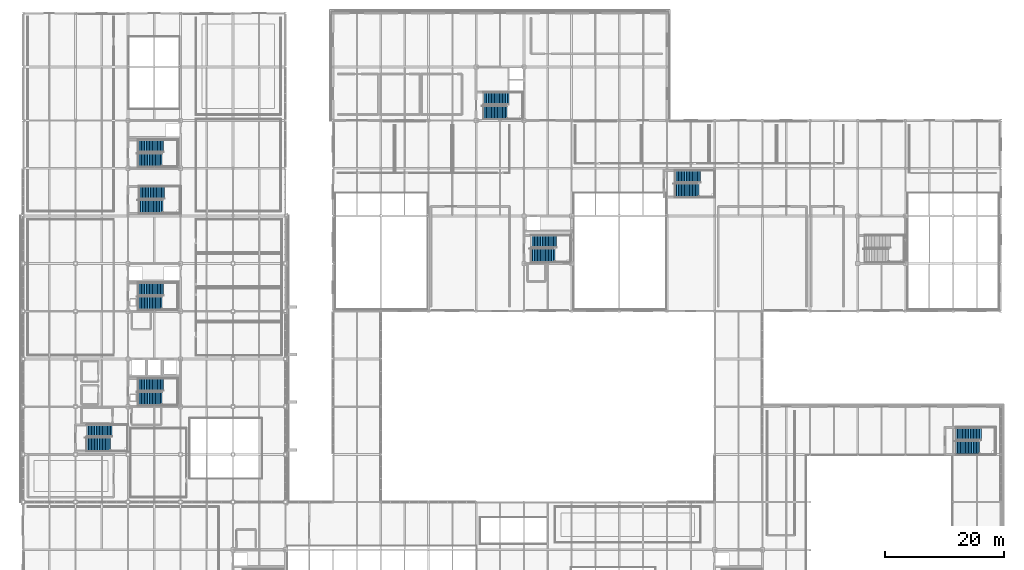
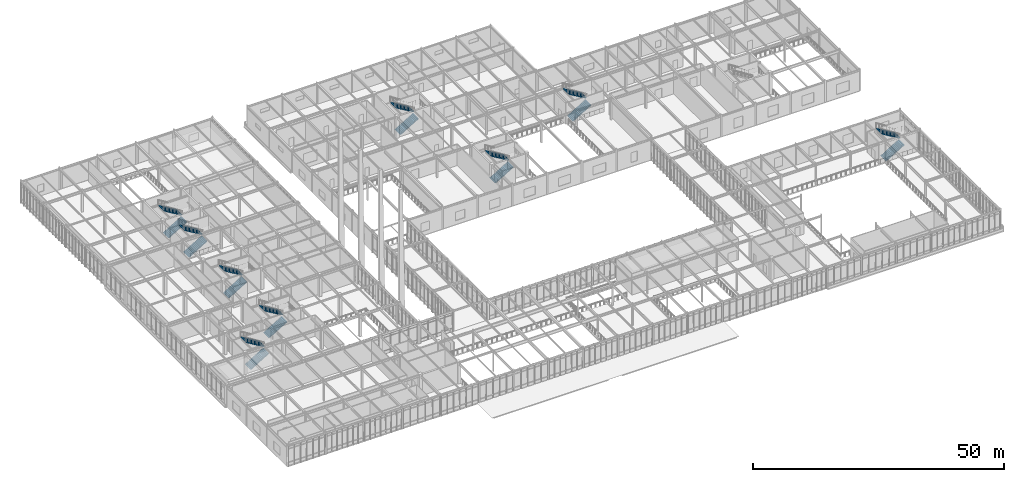
# One storey, part 170 of 184: 18 stair flights, 9 elements without a shape of their own.
"""IFC4 building model written with IfcOpenShell, lengths in metres."""

from ifc_helpers import new_model, si_unit, direction, frame, origin, place, context, subcontext, project, spatial, polyline, outline, extrude, material, type_object, element, aggregate, save


model = new_model("IFC4")

# Units and contexts
model_context = context("Model", 3, precision=1e-05, world=origin(), true_north=direction((0.0, 1.0)))
body_context = subcontext(model_context, "Body", "Model", "MODEL_VIEW")
ifc_project = project(units=[si_unit("LENGTHUNIT", "METRE"), si_unit("AREAUNIT", "SQUARE_METRE"), si_unit("VOLUMEUNIT", "CUBIC_METRE"), si_unit("PLANEANGLEUNIT", "RADIAN"), si_unit("MASSUNIT", "GRAM", prefix="KILO")], contexts=[model_context])

# Site, building, storey
site_placement = place(None, origin())
site = spatial("IfcSite", under=ifc_project, at=site_placement, CompositionType="ELEMENT")
building_placement = place(site_placement, origin())
building = spatial("IfcBuilding", under=site, at=building_placement, Name="Zhaolan Boulevard Law Courts", CompositionType="ELEMENT")
storey_placement = place(building_placement, frame((0.0, 0.0, 5.39990234375)))
storey = spatial("IfcBuildingStorey", under=building, at=storey_placement, Name="L01", CompositionType="ELEMENT", Elevation=5.39990234375)

# Stair, stair flights
ifc_material_1 = material(Name="Concrete C40", Category="concrete")
stair_type_1 = type_object("IfcStairType", Name="HALF TURN STAIR 54 A", PredefinedType="HALF_TURN_STAIR", material=ifc_material_1)
stair_1_placement = place(storey_placement, origin())
stair_1 = element("IfcStair", 1, at=stair_1_placement, inside=storey, type_object=stair_type_1, Name="Stair ST01-L01", PredefinedType="HALF_TURN_STAIR")
ifc_material_2 = material(Name="Concrete C40", Category="concrete")
stair_flight_type_1 = type_object("IfcStairFlightType", Name="STAIR FLIGHT 54 A", PredefinedType="STRAIGHT", material=ifc_material_2)
stair_flight_1_placement = place(storey_placement, frame((19.050048828125, 47.445068359375, 0.0), z_axis=(0.0, 0.0, 1.0), x_axis=(1.0, 0.0, 0.0)))
stair_flight_1 = element("IfcStairFlight", 2, at=stair_flight_1_placement, type_object=stair_flight_type_1, Name="Stair Flight ST01-L01-F1", NumberOfRisers=17, NumberOfTreads=16, PredefinedType="STRAIGHT", RiserHeight=0.158823529, TreadLength=0.265, context=body_context, shape_type="SweptSolid", body=[
    extrude(outline(polyline([(0.0, 0.0), (0.0, 0.158935546875), (0.264892578125, 0.158935546875), (0.264892578125, 0.317626953125), (0.530029296875, 0.317626953125), (0.530029296875, 0.4765625), (0.794921875, 0.4765625), (0.794921875, 0.63525390625), (1.06005859375, 0.63525390625), (1.06005859375, 0.794189453125), (1.324951171875, 0.794189453125), (1.324951171875, 0.952880859375), (1.590087890625, 0.952880859375), (1.590087890625, 1.11181640625), (1.85498046875, 1.11181640625), (1.85498046875, 1.2705078125), (2.1201171875, 1.2705078125), (2.1201171875, 1.429443359375), (2.385009765625, 1.429443359375), (2.385009765625, 1.588134765625), (2.64990234375, 1.588134765625), (2.64990234375, 1.7470703125), (2.9150390625, 1.7470703125), (2.9150390625, 1.90576171875), (3.179931640625, 1.90576171875), (3.179931640625, 2.064697265625), (3.445068359375, 2.064697265625), (3.445068359375, 2.2236328125), (3.7099609375, 2.2236328125), (3.7099609375, 2.38232421875), (3.97509765625, 2.38232421875), (3.97509765625, 2.541259765625), (4.239990234375, 2.541259765625), (4.239990234375, 2.699951171875), (4.239990234375, 2.354736328125), (0.31103515625, 0.0), (0.0, 0.0)])), frame((0.0, 1.06494140625, 0.0), z_axis=(0.0, -1.0, 0.0), x_axis=(1.0, 0.0, 0.0)), (0.0, 0.0, 1.0), 2.1298828125),
])
stair_flight_2_placement = place(storey_placement, frame((23.574951171875, 49.675048828125, 2.7001953125), z_axis=(0.0, 0.0, 1.0), x_axis=(-1.0, 0.0, 0.0)))
stair_flight_2 = element("IfcStairFlight", 3, at=stair_flight_2_placement, type_object=stair_flight_type_1, Name="Stair Flight ST01-L01-F2", NumberOfRisers=17, NumberOfTreads=16, PredefinedType="STRAIGHT", RiserHeight=0.158823529, TreadLength=0.265, context=body_context, shape_type="SweptSolid", body=[
    extrude(outline(polyline([(0.0, 0.0), (0.0, 0.158935546875), (0.264892578125, 0.158935546875), (0.264892578125, 0.317626953125), (0.530029296875, 0.317626953125), (0.530029296875, 0.4765625), (0.794921875, 0.4765625), (0.794921875, 0.63525390625), (1.06005859375, 0.63525390625), (1.06005859375, 0.794189453125), (1.324951171875, 0.794189453125), (1.324951171875, 0.952880859375), (1.590087890625, 0.952880859375), (1.590087890625, 1.11181640625), (1.85498046875, 1.11181640625), (1.85498046875, 1.2705078125), (2.1201171875, 1.2705078125), (2.1201171875, 1.429443359375), (2.385009765625, 1.429443359375), (2.385009765625, 1.588134765625), (2.64990234375, 1.588134765625), (2.64990234375, 1.7470703125), (2.9150390625, 1.7470703125), (2.9150390625, 1.90576171875), (3.179931640625, 1.90576171875), (3.179931640625, 2.064697265625), (3.445068359375, 2.064697265625), (3.445068359375, 2.2236328125), (3.7099609375, 2.2236328125), (3.7099609375, 2.38232421875), (3.97509765625, 2.38232421875), (3.97509765625, 2.541259765625), (4.239990234375, 2.541259765625), (4.239990234375, 2.699951171875), (4.239990234375, 2.354736328125), (0.31103515625, 0.0), (0.0, 0.0)])), frame((0.0, 1.06494140625, 0.0), z_axis=(0.0, -1.0, 0.0), x_axis=(1.0, 0.0, 0.0)), (0.0, 0.0, 1.0), 2.1298828125),
])
aggregate(stair_1, [stair_flight_1, stair_flight_2])

stair_2_placement = place(storey_placement, origin())
stair_2 = element("IfcStair", 4, at=stair_2_placement, inside=storey, type_object=stair_type_1, Name="Stair ST02-L01", PredefinedType="HALF_TURN_STAIR")
stair_flight_3_placement = place(storey_placement, frame((19.050048828125, 63.445068359375, 0.0), z_axis=(0.0, 0.0, 1.0), x_axis=(1.0, 0.0, 0.0)))
stair_flight_3 = element("IfcStairFlight", 5, at=stair_flight_3_placement, type_object=stair_flight_type_1, Name="Stair Flight ST02-L01-F1", NumberOfRisers=17, NumberOfTreads=16, PredefinedType="STRAIGHT", RiserHeight=0.158823529, TreadLength=0.265, context=body_context, shape_type="SweptSolid", body=[
    extrude(outline(polyline([(0.0, 0.0), (0.0, 0.158935546875), (0.264892578125, 0.158935546875), (0.264892578125, 0.317626953125), (0.530029296875, 0.317626953125), (0.530029296875, 0.4765625), (0.794921875, 0.4765625), (0.794921875, 0.63525390625), (1.06005859375, 0.63525390625), (1.06005859375, 0.794189453125), (1.324951171875, 0.794189453125), (1.324951171875, 0.952880859375), (1.590087890625, 0.952880859375), (1.590087890625, 1.11181640625), (1.85498046875, 1.11181640625), (1.85498046875, 1.2705078125), (2.1201171875, 1.2705078125), (2.1201171875, 1.429443359375), (2.385009765625, 1.429443359375), (2.385009765625, 1.588134765625), (2.64990234375, 1.588134765625), (2.64990234375, 1.7470703125), (2.9150390625, 1.7470703125), (2.9150390625, 1.90576171875), (3.179931640625, 1.90576171875), (3.179931640625, 2.064697265625), (3.445068359375, 2.064697265625), (3.445068359375, 2.2236328125), (3.7099609375, 2.2236328125), (3.7099609375, 2.38232421875), (3.97509765625, 2.38232421875), (3.97509765625, 2.541259765625), (4.239990234375, 2.541259765625), (4.239990234375, 2.699951171875), (4.239990234375, 2.354736328125), (0.31103515625, 0.0), (0.0, 0.0)])), frame((0.0, 1.06494140625, 0.0), z_axis=(0.0, -1.0, 0.0), x_axis=(1.0, 0.0, 0.0)), (0.0, 0.0, 1.0), 2.1298828125),
])
stair_flight_4_placement = place(storey_placement, frame((23.574951171875, 65.675048828125, 2.7001953125), z_axis=(0.0, 0.0, 1.0), x_axis=(-1.0, 0.0, 0.0)))
stair_flight_4 = element("IfcStairFlight", 6, at=stair_flight_4_placement, type_object=stair_flight_type_1, Name="Stair Flight ST02-L01-F2", NumberOfRisers=17, NumberOfTreads=16, PredefinedType="STRAIGHT", RiserHeight=0.158823529, TreadLength=0.265, context=body_context, shape_type="SweptSolid", body=[
    extrude(outline(polyline([(0.0, 0.0), (0.0, 0.158935546875), (0.264892578125, 0.158935546875), (0.264892578125, 0.317626953125), (0.530029296875, 0.317626953125), (0.530029296875, 0.4765625), (0.794921875, 0.4765625), (0.794921875, 0.63525390625), (1.06005859375, 0.63525390625), (1.06005859375, 0.794189453125), (1.324951171875, 0.794189453125), (1.324951171875, 0.952880859375), (1.590087890625, 0.952880859375), (1.590087890625, 1.11181640625), (1.85498046875, 1.11181640625), (1.85498046875, 1.2705078125), (2.1201171875, 1.2705078125), (2.1201171875, 1.429443359375), (2.385009765625, 1.429443359375), (2.385009765625, 1.588134765625), (2.64990234375, 1.588134765625), (2.64990234375, 1.7470703125), (2.9150390625, 1.7470703125), (2.9150390625, 1.90576171875), (3.179931640625, 1.90576171875), (3.179931640625, 2.064697265625), (3.445068359375, 2.064697265625), (3.445068359375, 2.2236328125), (3.7099609375, 2.2236328125), (3.7099609375, 2.38232421875), (3.97509765625, 2.38232421875), (3.97509765625, 2.541259765625), (4.239990234375, 2.541259765625), (4.239990234375, 2.699951171875), (4.239990234375, 2.354736328125), (0.31103515625, 0.0), (0.0, 0.0)])), frame((0.0, 1.06494140625, 0.0), z_axis=(0.0, -1.0, 0.0), x_axis=(1.0, 0.0, 0.0)), (0.0, 0.0, 1.0), 2.1298828125),
])
aggregate(stair_2, [stair_flight_3, stair_flight_4])

stair_3_placement = place(storey_placement, origin())
stair_3 = element("IfcStair", 7, at=stair_3_placement, inside=storey, type_object=stair_type_1, Name="Stair ST07-L01", PredefinedType="HALF_TURN_STAIR")
stair_flight_5_placement = place(storey_placement, frame((156.199951171875, 39.195068359375, 0.0), z_axis=(0.0, 0.0, 1.0), x_axis=(1.0, 0.0, 0.0)))
stair_flight_5 = element("IfcStairFlight", 8, at=stair_flight_5_placement, type_object=stair_flight_type_1, Name="Stair Flight ST07-L01-F1", NumberOfRisers=17, NumberOfTreads=16, PredefinedType="STRAIGHT", RiserHeight=0.158823529, TreadLength=0.265, context=body_context, shape_type="SweptSolid", body=[
    extrude(outline(polyline([(0.0, 0.0), (0.0, 0.158935546875), (0.264892578125, 0.158935546875), (0.264892578125, 0.317626953125), (0.530029296875, 0.317626953125), (0.530029296875, 0.4765625), (0.794921875, 0.4765625), (0.794921875, 0.63525390625), (1.06005859375, 0.63525390625), (1.06005859375, 0.794189453125), (1.324951171875, 0.794189453125), (1.324951171875, 0.952880859375), (1.590087890625, 0.952880859375), (1.590087890625, 1.11181640625), (1.85498046875, 1.11181640625), (1.85498046875, 1.2705078125), (2.1201171875, 1.2705078125), (2.1201171875, 1.429443359375), (2.385009765625, 1.429443359375), (2.385009765625, 1.588134765625), (2.64990234375, 1.588134765625), (2.64990234375, 1.7470703125), (2.9150390625, 1.7470703125), (2.9150390625, 1.90576171875), (3.179931640625, 1.90576171875), (3.179931640625, 2.064697265625), (3.445068359375, 2.064697265625), (3.445068359375, 2.2236328125), (3.7099609375, 2.2236328125), (3.7099609375, 2.38232421875), (3.97509765625, 2.38232421875), (3.97509765625, 2.541259765625), (4.239990234375, 2.541259765625), (4.239990234375, 2.699951171875), (4.239990234375, 2.354736328125), (0.31103515625, 0.0), (0.0, 0.0)])), frame((0.0, 1.06494140625, 0.0), z_axis=(0.0, -1.0, 0.0), x_axis=(1.0, 0.0, 0.0)), (0.0, 0.0, 1.0), 2.1298828125),
])
stair_flight_6_placement = place(storey_placement, frame((160.72509765625, 41.425048828125, 2.7001953125), z_axis=(0.0, 0.0, 1.0), x_axis=(-1.0, 0.0, 0.0)))
stair_flight_6 = element("IfcStairFlight", 9, at=stair_flight_6_placement, type_object=stair_flight_type_1, Name="Stair Flight ST07-L01-F2", NumberOfRisers=17, NumberOfTreads=16, PredefinedType="STRAIGHT", RiserHeight=0.158823529, TreadLength=0.265, context=body_context, shape_type="SweptSolid", body=[
    extrude(outline(polyline([(0.0, 0.0), (0.0, 0.158935546875), (0.264892578125, 0.158935546875), (0.264892578125, 0.317626953125), (0.530029296875, 0.317626953125), (0.530029296875, 0.4765625), (0.794921875, 0.4765625), (0.794921875, 0.63525390625), (1.06005859375, 0.63525390625), (1.06005859375, 0.794189453125), (1.324951171875, 0.794189453125), (1.324951171875, 0.952880859375), (1.590087890625, 0.952880859375), (1.590087890625, 1.11181640625), (1.85498046875, 1.11181640625), (1.85498046875, 1.2705078125), (2.1201171875, 1.2705078125), (2.1201171875, 1.429443359375), (2.385009765625, 1.429443359375), (2.385009765625, 1.588134765625), (2.64990234375, 1.588134765625), (2.64990234375, 1.7470703125), (2.9150390625, 1.7470703125), (2.9150390625, 1.90576171875), (3.179931640625, 1.90576171875), (3.179931640625, 2.064697265625), (3.445068359375, 2.064697265625), (3.445068359375, 2.2236328125), (3.7099609375, 2.2236328125), (3.7099609375, 2.38232421875), (3.97509765625, 2.38232421875), (3.97509765625, 2.541259765625), (4.239990234375, 2.541259765625), (4.239990234375, 2.699951171875), (4.239990234375, 2.354736328125), (0.31103515625, 0.0), (0.0, 0.0)])), frame((0.0, 1.06494140625, 0.0), z_axis=(0.0, -1.0, 0.0), x_axis=(1.0, 0.0, 0.0)), (0.0, 0.0, 1.0), 2.1298828125),
])
aggregate(stair_3, [stair_flight_5, stair_flight_6])

stair_4_placement = place(storey_placement, origin())
stair_4 = element("IfcStair", 10, at=stair_4_placement, inside=storey, type_object=stair_type_1, Name="Stair ST11-L01", PredefinedType="HALF_TURN_STAIR")
stair_flight_7_placement = place(storey_placement, frame((76.949951171875, 95.445068359375, 0.0), z_axis=(0.0, 0.0, 1.0), x_axis=(1.0, 0.0, 0.0)))
stair_flight_7 = element("IfcStairFlight", 11, at=stair_flight_7_placement, type_object=stair_flight_type_1, Name="Stair Flight ST11-L01-F1", NumberOfRisers=17, NumberOfTreads=16, PredefinedType="STRAIGHT", RiserHeight=0.158823529, TreadLength=0.265, context=body_context, shape_type="SweptSolid", body=[
    extrude(outline(polyline([(0.0, 0.0), (0.0, 0.158935546875), (0.264892578125, 0.158935546875), (0.264892578125, 0.317626953125), (0.530029296875, 0.317626953125), (0.530029296875, 0.4765625), (0.794921875, 0.4765625), (0.794921875, 0.63525390625), (1.06005859375, 0.63525390625), (1.06005859375, 0.794189453125), (1.324951171875, 0.794189453125), (1.324951171875, 0.952880859375), (1.590087890625, 0.952880859375), (1.590087890625, 1.11181640625), (1.85498046875, 1.11181640625), (1.85498046875, 1.2705078125), (2.1201171875, 1.2705078125), (2.1201171875, 1.429443359375), (2.385009765625, 1.429443359375), (2.385009765625, 1.588134765625), (2.64990234375, 1.588134765625), (2.64990234375, 1.7470703125), (2.9150390625, 1.7470703125), (2.9150390625, 1.90576171875), (3.179931640625, 1.90576171875), (3.179931640625, 2.064697265625), (3.445068359375, 2.064697265625), (3.445068359375, 2.2236328125), (3.7099609375, 2.2236328125), (3.7099609375, 2.38232421875), (3.97509765625, 2.38232421875), (3.97509765625, 2.541259765625), (4.239990234375, 2.541259765625), (4.239990234375, 2.699951171875), (4.239990234375, 2.354736328125), (0.31103515625, 0.0), (0.0, 0.0)])), frame((0.0, 1.06494140625, 0.0), z_axis=(0.0, -1.0, 0.0), x_axis=(1.0, 0.0, 0.0)), (0.0, 0.0, 1.0), 2.1298828125),
])
stair_flight_8_placement = place(storey_placement, frame((81.47509765625, 97.675048828125, 2.7001953125), z_axis=(0.0, 0.0, 1.0), x_axis=(-1.0, 0.0, 0.0)))
stair_flight_8 = element("IfcStairFlight", 12, at=stair_flight_8_placement, type_object=stair_flight_type_1, Name="Stair Flight ST11-L01-F2", NumberOfRisers=17, NumberOfTreads=16, PredefinedType="STRAIGHT", RiserHeight=0.158823529, TreadLength=0.265, context=body_context, shape_type="SweptSolid", body=[
    extrude(outline(polyline([(0.0, 0.0), (0.0, 0.158935546875), (0.264892578125, 0.158935546875), (0.264892578125, 0.317626953125), (0.530029296875, 0.317626953125), (0.530029296875, 0.4765625), (0.794921875, 0.4765625), (0.794921875, 0.63525390625), (1.06005859375, 0.63525390625), (1.06005859375, 0.794189453125), (1.324951171875, 0.794189453125), (1.324951171875, 0.952880859375), (1.590087890625, 0.952880859375), (1.590087890625, 1.11181640625), (1.85498046875, 1.11181640625), (1.85498046875, 1.2705078125), (2.1201171875, 1.2705078125), (2.1201171875, 1.429443359375), (2.385009765625, 1.429443359375), (2.385009765625, 1.588134765625), (2.64990234375, 1.588134765625), (2.64990234375, 1.7470703125), (2.9150390625, 1.7470703125), (2.9150390625, 1.90576171875), (3.179931640625, 1.90576171875), (3.179931640625, 2.064697265625), (3.445068359375, 2.064697265625), (3.445068359375, 2.2236328125), (3.7099609375, 2.2236328125), (3.7099609375, 2.38232421875), (3.97509765625, 2.38232421875), (3.97509765625, 2.541259765625), (4.239990234375, 2.541259765625), (4.239990234375, 2.699951171875), (4.239990234375, 2.354736328125), (0.31103515625, 0.0), (0.0, 0.0)])), frame((0.0, 1.06494140625, 0.0), z_axis=(0.0, -1.0, 0.0), x_axis=(1.0, 0.0, 0.0)), (0.0, 0.0, 1.0), 2.1298828125),
])
aggregate(stair_4, [stair_flight_7, stair_flight_8])

stair_5_placement = place(storey_placement, origin())
stair_5 = element("IfcStair", 13, at=stair_5_placement, inside=storey, type_object=stair_type_1, Name="Stair ST12-L01", PredefinedType="HALF_TURN_STAIR")
stair_flight_9_placement = place(storey_placement, frame((19.199951171875, 79.64501953125, 0.0), z_axis=(0.0, 0.0, 1.0), x_axis=(1.0, 0.0, 0.0)))
stair_flight_9 = element("IfcStairFlight", 14, at=stair_flight_9_placement, type_object=stair_flight_type_1, Name="Stair Flight ST12-L01-F1", NumberOfRisers=17, NumberOfTreads=16, PredefinedType="STRAIGHT", RiserHeight=0.158823529, TreadLength=0.265, context=body_context, shape_type="SweptSolid", body=[
    extrude(outline(polyline([(0.0, 0.0), (0.0, 0.158935546875), (0.264892578125, 0.158935546875), (0.264892578125, 0.317626953125), (0.530029296875, 0.317626953125), (0.530029296875, 0.4765625), (0.794921875, 0.4765625), (0.794921875, 0.63525390625), (1.06005859375, 0.63525390625), (1.06005859375, 0.794189453125), (1.324951171875, 0.794189453125), (1.324951171875, 0.952880859375), (1.590087890625, 0.952880859375), (1.590087890625, 1.11181640625), (1.85498046875, 1.11181640625), (1.85498046875, 1.2705078125), (2.1201171875, 1.2705078125), (2.1201171875, 1.429443359375), (2.385009765625, 1.429443359375), (2.385009765625, 1.588134765625), (2.64990234375, 1.588134765625), (2.64990234375, 1.7470703125), (2.9150390625, 1.7470703125), (2.9150390625, 1.90576171875), (3.179931640625, 1.90576171875), (3.179931640625, 2.064697265625), (3.445068359375, 2.064697265625), (3.445068359375, 2.2236328125), (3.7099609375, 2.2236328125), (3.7099609375, 2.38232421875), (3.97509765625, 2.38232421875), (3.97509765625, 2.541259765625), (4.239990234375, 2.541259765625), (4.239990234375, 2.699951171875), (4.239990234375, 2.354736328125), (0.31103515625, 0.0), (0.0, 0.0)])), frame((0.0, 1.06494140625, 0.0), z_axis=(0.0, -1.0, 0.0), x_axis=(1.0, 0.0, 0.0)), (0.0, 0.0, 1.0), 2.1298828125),
])
stair_flight_10_placement = place(storey_placement, frame((23.72509765625, 81.875, 2.7001953125), z_axis=(0.0, 0.0, 1.0), x_axis=(-1.0, 0.0, 0.0)))
stair_flight_10 = element("IfcStairFlight", 15, at=stair_flight_10_placement, type_object=stair_flight_type_1, Name="Stair Flight ST12-L01-F2", NumberOfRisers=17, NumberOfTreads=16, PredefinedType="STRAIGHT", RiserHeight=0.158823529, TreadLength=0.265, context=body_context, shape_type="SweptSolid", body=[
    extrude(outline(polyline([(0.0, 0.0), (0.0, 0.158935546875), (0.264892578125, 0.158935546875), (0.264892578125, 0.317626953125), (0.530029296875, 0.317626953125), (0.530029296875, 0.4765625), (0.794921875, 0.4765625), (0.794921875, 0.63525390625), (1.06005859375, 0.63525390625), (1.06005859375, 0.794189453125), (1.324951171875, 0.794189453125), (1.324951171875, 0.952880859375), (1.590087890625, 0.952880859375), (1.590087890625, 1.11181640625), (1.85498046875, 1.11181640625), (1.85498046875, 1.2705078125), (2.1201171875, 1.2705078125), (2.1201171875, 1.429443359375), (2.385009765625, 1.429443359375), (2.385009765625, 1.588134765625), (2.64990234375, 1.588134765625), (2.64990234375, 1.7470703125), (2.9150390625, 1.7470703125), (2.9150390625, 1.90576171875), (3.179931640625, 1.90576171875), (3.179931640625, 2.064697265625), (3.445068359375, 2.064697265625), (3.445068359375, 2.2236328125), (3.7099609375, 2.2236328125), (3.7099609375, 2.38232421875), (3.97509765625, 2.38232421875), (3.97509765625, 2.541259765625), (4.239990234375, 2.541259765625), (4.239990234375, 2.699951171875), (4.239990234375, 2.354736328125), (0.31103515625, 0.0), (0.0, 0.0)])), frame((0.0, 1.06494140625, 0.0), z_axis=(0.0, -1.0, 0.0), x_axis=(1.0, 0.0, 0.0)), (0.0, 0.0, 1.0), 2.1298828125),
])
aggregate(stair_5, [stair_flight_9, stair_flight_10])

ifc_material_3 = material(Name="Concrete C40", Category="concrete")
stair_type_2 = type_object("IfcStairType", Name="HALF TURN STAIR 54 B", PredefinedType="HALF_TURN_STAIR", material=ifc_material_3)
stair_6_placement = place(storey_placement, origin())
stair_6 = element("IfcStair", 16, at=stair_6_placement, inside=storey, type_object=stair_type_2, Name="Stair ST03-L01", PredefinedType="HALF_TURN_STAIR")
ifc_material_4 = material(Name="Concrete C40", Category="concrete")
stair_flight_type_2 = type_object("IfcStairFlightType", Name="STAIR FLIGHT 54 B", PredefinedType="STRAIGHT", material=ifc_material_4)
stair_flight_11_placement = place(storey_placement, frame((10.39990234375, 39.760009765625, 0.0), z_axis=(0.0, 0.0, 1.0), x_axis=(1.0, 0.0, 0.0)))
stair_flight_11 = element("IfcStairFlight", 17, at=stair_flight_11_placement, type_object=stair_flight_type_2, Name="Stair Flight ST03-L01-F1", NumberOfRisers=17, NumberOfTreads=16, PredefinedType="STRAIGHT", RiserHeight=0.158823529, TreadLength=0.265, context=body_context, shape_type="SweptSolid", body=[
    extrude(outline(polyline([(0.0, 0.0), (0.0, 0.158935546875), (0.264892578125, 0.158935546875), (0.264892578125, 0.317626953125), (0.530029296875, 0.317626953125), (0.530029296875, 0.4765625), (0.794921875, 0.4765625), (0.794921875, 0.63525390625), (1.06005859375, 0.63525390625), (1.06005859375, 0.794189453125), (1.324951171875, 0.794189453125), (1.324951171875, 0.952880859375), (1.590087890625, 0.952880859375), (1.590087890625, 1.11181640625), (1.85498046875, 1.11181640625), (1.85498046875, 1.2705078125), (2.1201171875, 1.2705078125), (2.1201171875, 1.429443359375), (2.385009765625, 1.429443359375), (2.385009765625, 1.588134765625), (2.64990234375, 1.588134765625), (2.64990234375, 1.7470703125), (2.9150390625, 1.7470703125), (2.9150390625, 1.90576171875), (3.179931640625, 1.90576171875), (3.179931640625, 2.064697265625), (3.445068359375, 2.064697265625), (3.445068359375, 2.2236328125), (3.7099609375, 2.2236328125), (3.7099609375, 2.38232421875), (3.97509765625, 2.38232421875), (3.97509765625, 2.541259765625), (4.239990234375, 2.541259765625), (4.239990234375, 2.699951171875), (4.239990234375, 2.354736328125), (0.31103515625, 0.0), (0.0, 0.0)])), frame((0.0, 1.080078125, 0.0), z_axis=(0.0, -1.0, 0.0), x_axis=(1.0, 0.0, 0.0)), (0.0, 0.0, 1.0), 2.159912109375),
])
stair_flight_12_placement = place(storey_placement, frame((14.925048828125, 42.02001953125, 2.7001953125), z_axis=(0.0, 0.0, 1.0), x_axis=(-1.0, 0.0, 0.0)))
stair_flight_12 = element("IfcStairFlight", 18, at=stair_flight_12_placement, type_object=stair_flight_type_2, Name="Stair Flight ST03-L01-F2", NumberOfRisers=17, NumberOfTreads=16, PredefinedType="STRAIGHT", RiserHeight=0.158823529, TreadLength=0.265, context=body_context, shape_type="SweptSolid", body=[
    extrude(outline(polyline([(0.0, 0.0), (0.0, 0.158935546875), (0.264892578125, 0.158935546875), (0.264892578125, 0.317626953125), (0.530029296875, 0.317626953125), (0.530029296875, 0.4765625), (0.794921875, 0.4765625), (0.794921875, 0.63525390625), (1.06005859375, 0.63525390625), (1.06005859375, 0.794189453125), (1.324951171875, 0.794189453125), (1.324951171875, 0.952880859375), (1.590087890625, 0.952880859375), (1.590087890625, 1.11181640625), (1.85498046875, 1.11181640625), (1.85498046875, 1.2705078125), (2.1201171875, 1.2705078125), (2.1201171875, 1.429443359375), (2.385009765625, 1.429443359375), (2.385009765625, 1.588134765625), (2.64990234375, 1.588134765625), (2.64990234375, 1.7470703125), (2.9150390625, 1.7470703125), (2.9150390625, 1.90576171875), (3.179931640625, 1.90576171875), (3.179931640625, 2.064697265625), (3.445068359375, 2.064697265625), (3.445068359375, 2.2236328125), (3.7099609375, 2.2236328125), (3.7099609375, 2.38232421875), (3.97509765625, 2.38232421875), (3.97509765625, 2.541259765625), (4.239990234375, 2.541259765625), (4.239990234375, 2.699951171875), (4.239990234375, 2.354736328125), (0.31103515625, 0.0), (0.0, 0.0)])), frame((0.0, 1.080078125, 0.0), z_axis=(0.0, -1.0, 0.0), x_axis=(1.0, 0.0, 0.0)), (0.0, 0.0, 1.0), 2.159912109375),
])
aggregate(stair_6, [stair_flight_11, stair_flight_12])

stair_7_placement = place(storey_placement, origin())
stair_7 = element("IfcStair", 19, at=stair_7_placement, inside=storey, type_object=stair_type_2, Name="Stair ST08-L01", PredefinedType="HALF_TURN_STAIR")
stair_flight_13_placement = place(storey_placement, frame((84.949951171875, 71.4599609375, 0.0), z_axis=(0.0, 0.0, 1.0), x_axis=(1.0, 0.0, 0.0)))
stair_flight_13 = element("IfcStairFlight", 20, at=stair_flight_13_placement, type_object=stair_flight_type_2, Name="Stair Flight ST08-L01-F1", NumberOfRisers=17, NumberOfTreads=16, PredefinedType="STRAIGHT", RiserHeight=0.158823529, TreadLength=0.265, context=body_context, shape_type="SweptSolid", body=[
    extrude(outline(polyline([(0.0, 0.0), (0.0, 0.158935546875), (0.264892578125, 0.158935546875), (0.264892578125, 0.317626953125), (0.530029296875, 0.317626953125), (0.530029296875, 0.4765625), (0.794921875, 0.4765625), (0.794921875, 0.63525390625), (1.06005859375, 0.63525390625), (1.06005859375, 0.794189453125), (1.324951171875, 0.794189453125), (1.324951171875, 0.952880859375), (1.590087890625, 0.952880859375), (1.590087890625, 1.11181640625), (1.85498046875, 1.11181640625), (1.85498046875, 1.2705078125), (2.1201171875, 1.2705078125), (2.1201171875, 1.429443359375), (2.385009765625, 1.429443359375), (2.385009765625, 1.588134765625), (2.64990234375, 1.588134765625), (2.64990234375, 1.7470703125), (2.9150390625, 1.7470703125), (2.9150390625, 1.90576171875), (3.179931640625, 1.90576171875), (3.179931640625, 2.064697265625), (3.445068359375, 2.064697265625), (3.445068359375, 2.2236328125), (3.7099609375, 2.2236328125), (3.7099609375, 2.38232421875), (3.97509765625, 2.38232421875), (3.97509765625, 2.541259765625), (4.239990234375, 2.541259765625), (4.239990234375, 2.699951171875), (4.239990234375, 2.354736328125), (0.31103515625, 0.0), (0.0, 0.0)])), frame((0.0, 1.080078125, 0.0), z_axis=(0.0, -1.0, 0.0), x_axis=(1.0, 0.0, 0.0)), (0.0, 0.0, 1.0), 2.159912109375),
])
stair_flight_14_placement = place(storey_placement, frame((89.47509765625, 73.719970703125, 2.7001953125), z_axis=(0.0, 0.0, 1.0), x_axis=(-1.0, 0.0, 0.0)))
stair_flight_14 = element("IfcStairFlight", 21, at=stair_flight_14_placement, type_object=stair_flight_type_2, Name="Stair Flight ST08-L01-F2", NumberOfRisers=17, NumberOfTreads=16, PredefinedType="STRAIGHT", RiserHeight=0.158823529, TreadLength=0.265, context=body_context, shape_type="SweptSolid", body=[
    extrude(outline(polyline([(0.0, 0.0), (0.0, 0.158935546875), (0.264892578125, 0.158935546875), (0.264892578125, 0.317626953125), (0.530029296875, 0.317626953125), (0.530029296875, 0.4765625), (0.794921875, 0.4765625), (0.794921875, 0.63525390625), (1.06005859375, 0.63525390625), (1.06005859375, 0.794189453125), (1.324951171875, 0.794189453125), (1.324951171875, 0.952880859375), (1.590087890625, 0.952880859375), (1.590087890625, 1.11181640625), (1.85498046875, 1.11181640625), (1.85498046875, 1.2705078125), (2.1201171875, 1.2705078125), (2.1201171875, 1.429443359375), (2.385009765625, 1.429443359375), (2.385009765625, 1.588134765625), (2.64990234375, 1.588134765625), (2.64990234375, 1.7470703125), (2.9150390625, 1.7470703125), (2.9150390625, 1.90576171875), (3.179931640625, 1.90576171875), (3.179931640625, 2.064697265625), (3.445068359375, 2.064697265625), (3.445068359375, 2.2236328125), (3.7099609375, 2.2236328125), (3.7099609375, 2.38232421875), (3.97509765625, 2.38232421875), (3.97509765625, 2.541259765625), (4.239990234375, 2.541259765625), (4.239990234375, 2.699951171875), (4.239990234375, 2.354736328125), (0.31103515625, 0.0), (0.0, 0.0)])), frame((0.0, 1.080078125, 0.0), z_axis=(0.0, -1.0, 0.0), x_axis=(1.0, 0.0, 0.0)), (0.0, 0.0, 1.0), 2.159912109375),
])
aggregate(stair_7, [stair_flight_13, stair_flight_14])

stair_8_placement = place(storey_placement, origin())
stair_8 = element("IfcStair", 22, at=stair_8_placement, inside=storey, type_object=stair_type_2, Name="Stair ST10-L01", PredefinedType="HALF_TURN_STAIR")
stair_flight_15_placement = place(storey_placement, frame((19.050048828125, 87.4599609375, 0.0), z_axis=(0.0, 0.0, 1.0), x_axis=(1.0, 0.0, 0.0)))
stair_flight_15 = element("IfcStairFlight", 23, at=stair_flight_15_placement, type_object=stair_flight_type_2, Name="Stair Flight ST10-L01-F1", NumberOfRisers=17, NumberOfTreads=16, PredefinedType="STRAIGHT", RiserHeight=0.158823529, TreadLength=0.265, context=body_context, shape_type="SweptSolid", body=[
    extrude(outline(polyline([(0.0, 0.0), (0.0, 0.158935546875), (0.264892578125, 0.158935546875), (0.264892578125, 0.317626953125), (0.530029296875, 0.317626953125), (0.530029296875, 0.4765625), (0.794921875, 0.4765625), (0.794921875, 0.63525390625), (1.06005859375, 0.63525390625), (1.06005859375, 0.794189453125), (1.324951171875, 0.794189453125), (1.324951171875, 0.952880859375), (1.590087890625, 0.952880859375), (1.590087890625, 1.11181640625), (1.85498046875, 1.11181640625), (1.85498046875, 1.2705078125), (2.1201171875, 1.2705078125), (2.1201171875, 1.429443359375), (2.385009765625, 1.429443359375), (2.385009765625, 1.588134765625), (2.64990234375, 1.588134765625), (2.64990234375, 1.7470703125), (2.9150390625, 1.7470703125), (2.9150390625, 1.90576171875), (3.179931640625, 1.90576171875), (3.179931640625, 2.064697265625), (3.445068359375, 2.064697265625), (3.445068359375, 2.2236328125), (3.7099609375, 2.2236328125), (3.7099609375, 2.38232421875), (3.97509765625, 2.38232421875), (3.97509765625, 2.541259765625), (4.239990234375, 2.541259765625), (4.239990234375, 2.699951171875), (4.239990234375, 2.354736328125), (0.31103515625, 0.0), (0.0, 0.0)])), frame((0.0, 1.080078125, 0.0), z_axis=(0.0, -1.0, 0.0), x_axis=(1.0, 0.0, 0.0)), (0.0, 0.0, 1.0), 2.159912109375),
])
stair_flight_16_placement = place(storey_placement, frame((23.574951171875, 89.719970703125, 2.7001953125), z_axis=(0.0, 0.0, 1.0), x_axis=(-1.0, 0.0, 0.0)))
stair_flight_16 = element("IfcStairFlight", 24, at=stair_flight_16_placement, type_object=stair_flight_type_2, Name="Stair Flight ST10-L01-F2", NumberOfRisers=17, NumberOfTreads=16, PredefinedType="STRAIGHT", RiserHeight=0.158823529, TreadLength=0.265, context=body_context, shape_type="SweptSolid", body=[
    extrude(outline(polyline([(0.0, 0.0), (0.0, 0.158935546875), (0.264892578125, 0.158935546875), (0.264892578125, 0.317626953125), (0.530029296875, 0.317626953125), (0.530029296875, 0.4765625), (0.794921875, 0.4765625), (0.794921875, 0.63525390625), (1.06005859375, 0.63525390625), (1.06005859375, 0.794189453125), (1.324951171875, 0.794189453125), (1.324951171875, 0.952880859375), (1.590087890625, 0.952880859375), (1.590087890625, 1.11181640625), (1.85498046875, 1.11181640625), (1.85498046875, 1.2705078125), (2.1201171875, 1.2705078125), (2.1201171875, 1.429443359375), (2.385009765625, 1.429443359375), (2.385009765625, 1.588134765625), (2.64990234375, 1.588134765625), (2.64990234375, 1.7470703125), (2.9150390625, 1.7470703125), (2.9150390625, 1.90576171875), (3.179931640625, 1.90576171875), (3.179931640625, 2.064697265625), (3.445068359375, 2.064697265625), (3.445068359375, 2.2236328125), (3.7099609375, 2.2236328125), (3.7099609375, 2.38232421875), (3.97509765625, 2.38232421875), (3.97509765625, 2.541259765625), (4.239990234375, 2.541259765625), (4.239990234375, 2.699951171875), (4.239990234375, 2.354736328125), (0.31103515625, 0.0), (0.0, 0.0)])), frame((0.0, 1.080078125, 0.0), z_axis=(0.0, -1.0, 0.0), x_axis=(1.0, 0.0, 0.0)), (0.0, 0.0, 1.0), 2.159912109375),
])
aggregate(stair_8, [stair_flight_15, stair_flight_16])

stair_9_placement = place(storey_placement, origin())
stair_9 = element("IfcStair", 25, at=stair_9_placement, inside=storey, type_object=stair_type_2, Name="Stair ST13-L01", PredefinedType="HALF_TURN_STAIR")
stair_flight_17_placement = place(storey_placement, frame((109.10009765625, 82.360107421875, 0.0), z_axis=(0.0, 0.0, 1.0), x_axis=(1.0, 0.0, 0.0)))
stair_flight_17 = element("IfcStairFlight", 26, at=stair_flight_17_placement, type_object=stair_flight_type_2, Name="Stair Flight ST13-L01-F1", NumberOfRisers=17, NumberOfTreads=16, PredefinedType="STRAIGHT", RiserHeight=0.158823529, TreadLength=0.265, context=body_context, shape_type="SweptSolid", body=[
    extrude(outline(polyline([(0.0, 0.0), (0.0, 0.158935546875), (0.264892578125, 0.158935546875), (0.264892578125, 0.317626953125), (0.530029296875, 0.317626953125), (0.530029296875, 0.4765625), (0.794921875, 0.4765625), (0.794921875, 0.63525390625), (1.06005859375, 0.63525390625), (1.06005859375, 0.794189453125), (1.324951171875, 0.794189453125), (1.324951171875, 0.952880859375), (1.590087890625, 0.952880859375), (1.590087890625, 1.11181640625), (1.85498046875, 1.11181640625), (1.85498046875, 1.2705078125), (2.1201171875, 1.2705078125), (2.1201171875, 1.429443359375), (2.385009765625, 1.429443359375), (2.385009765625, 1.588134765625), (2.64990234375, 1.588134765625), (2.64990234375, 1.7470703125), (2.9150390625, 1.7470703125), (2.9150390625, 1.90576171875), (3.179931640625, 1.90576171875), (3.179931640625, 2.064697265625), (3.445068359375, 2.064697265625), (3.445068359375, 2.2236328125), (3.7099609375, 2.2236328125), (3.7099609375, 2.38232421875), (3.97509765625, 2.38232421875), (3.97509765625, 2.541259765625), (4.239990234375, 2.541259765625), (4.239990234375, 2.699951171875), (4.239990234375, 2.354736328125), (0.31103515625, 0.0), (0.0, 0.0)])), frame((0.0, 1.080078125, 0.0), z_axis=(0.0, -1.0, 0.0), x_axis=(1.0, 0.0, 0.0)), (0.0, 0.0, 1.0), 2.159912109375),
])
stair_flight_18_placement = place(storey_placement, frame((113.625, 84.6201171875, 2.7001953125), z_axis=(0.0, 0.0, 1.0), x_axis=(-1.0, 0.0, 0.0)))
stair_flight_18 = element("IfcStairFlight", 27, at=stair_flight_18_placement, type_object=stair_flight_type_2, Name="Stair Flight ST13-L01-F2", NumberOfRisers=17, NumberOfTreads=16, PredefinedType="STRAIGHT", RiserHeight=0.158823529, TreadLength=0.265, context=body_context, shape_type="SweptSolid", body=[
    extrude(outline(polyline([(0.0, 0.0), (0.0, 0.158935546875), (0.264892578125, 0.158935546875), (0.264892578125, 0.317626953125), (0.530029296875, 0.317626953125), (0.530029296875, 0.4765625), (0.794921875, 0.4765625), (0.794921875, 0.63525390625), (1.06005859375, 0.63525390625), (1.06005859375, 0.794189453125), (1.324951171875, 0.794189453125), (1.324951171875, 0.952880859375), (1.590087890625, 0.952880859375), (1.590087890625, 1.11181640625), (1.85498046875, 1.11181640625), (1.85498046875, 1.2705078125), (2.1201171875, 1.2705078125), (2.1201171875, 1.429443359375), (2.385009765625, 1.429443359375), (2.385009765625, 1.588134765625), (2.64990234375, 1.588134765625), (2.64990234375, 1.7470703125), (2.9150390625, 1.7470703125), (2.9150390625, 1.90576171875), (3.179931640625, 1.90576171875), (3.179931640625, 2.064697265625), (3.445068359375, 2.064697265625), (3.445068359375, 2.2236328125), (3.7099609375, 2.2236328125), (3.7099609375, 2.38232421875), (3.97509765625, 2.38232421875), (3.97509765625, 2.541259765625), (4.239990234375, 2.541259765625), (4.239990234375, 2.699951171875), (4.239990234375, 2.354736328125), (0.31103515625, 0.0), (0.0, 0.0)])), frame((0.0, 1.080078125, 0.0), z_axis=(0.0, -1.0, 0.0), x_axis=(1.0, 0.0, 0.0)), (0.0, 0.0, 1.0), 2.159912109375),
])
aggregate(stair_9, [stair_flight_17, stair_flight_18])

save(model, "model.ifc")
